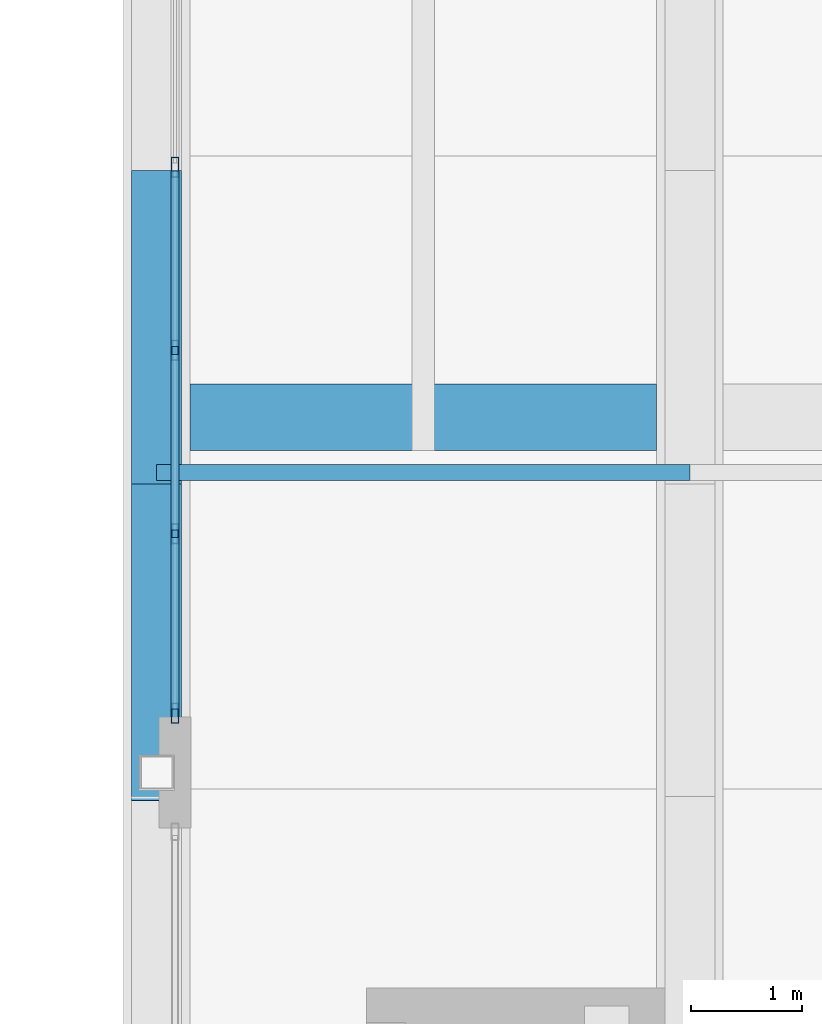
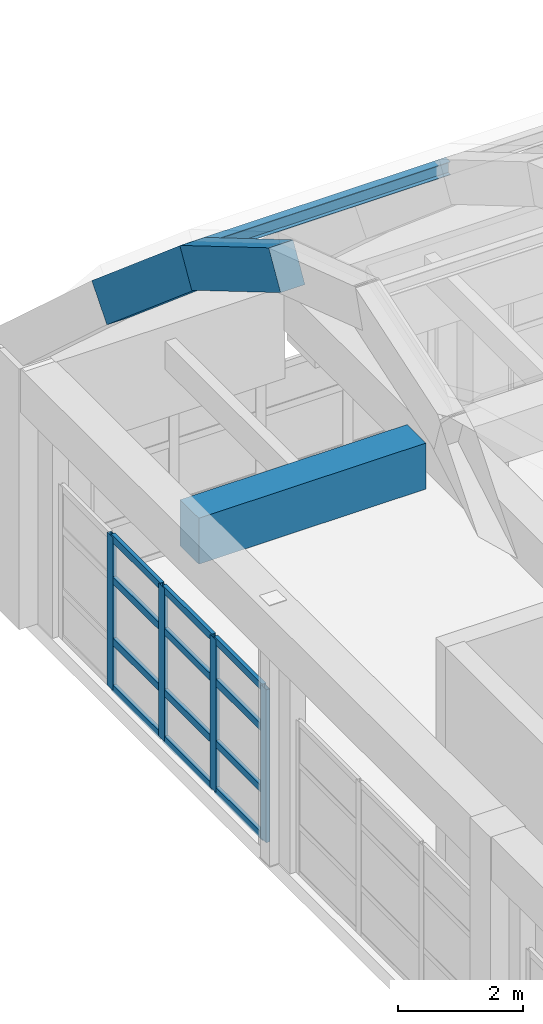
# One storey, part 35 of 78: 17 members, 3 beams, 1 element without a shape of its own.
"""IFC4 building model written with IfcOpenShell, lengths in metres."""

from ifc_helpers import new_model, si_unit, direction, frame, origin, origin_2d, place, context, subcontext, project, spatial, rectangle, hollow_rectangle, i_section, extrude, material, layer, layer_set, material_profile, profile_set, type_object, element, aggregate, save


model = new_model("IFC4")

# Units and contexts
model_context = context("Model", 3, precision=1e-05, world=origin(), true_north=direction((0.0, 1.0)))
body_context = subcontext(model_context, "Body", "Model", "MODEL_VIEW")
ifc_project = project(units=[si_unit("LENGTHUNIT", "METRE"), si_unit("AREAUNIT", "SQUARE_METRE"), si_unit("VOLUMEUNIT", "CUBIC_METRE"), si_unit("PLANEANGLEUNIT", "RADIAN"), si_unit("MASSUNIT", "GRAM", prefix="KILO")], contexts=[model_context])

# Site, building, storey
site_placement = place(None, origin())
site = spatial("IfcSite", under=ifc_project, at=site_placement, CompositionType="ELEMENT")
building_placement = place(site_placement, origin())
building = spatial("IfcBuilding", under=site, at=building_placement, Name="Quendrovan Civic Courthouse", CompositionType="ELEMENT")
storey_placement = place(building_placement, frame((0.0, 0.0, 20.39990234375)))
storey = spatial("IfcBuildingStorey", under=building, at=storey_placement, Name="L05", CompositionType="ELEMENT", Elevation=20.39990234375)

# Beams
ifc_material_1 = material(Name="Concrete C40/50", Category="concrete")
ifc_material_profile_1 = material_profile(ifc_material_1, rectangle(XDim=0.60009765625, YDim=0.89990234375, at=origin_2d()), Name="RC-BM-600x900")
ifc_profile_set_1 = profile_set([ifc_material_profile_1], Name="Concrete C40/50")
beam_type_1 = type_object("IfcBeamType", Name="BM-RC900", PredefinedType="BEAM", material=ifc_profile_set_1)
beam_1_placement = place(storey_placement, frame((109.5, 105.199951171875, 4.35009765625), z_axis=(1.0, 0.0, 0.0), x_axis=(0.0, 1.0, 0.0)))
element("IfcBeam", 1, at=beam_1_placement, inside=storey, type_object=beam_type_1, Name="BV1 Eave Backspan Collector Beam N-B1", PredefinedType="BEAM", context=body_context, shape_type="SweptSolid", body=[
    extrude(rectangle(XDim=0.60009765625, YDim=0.89990234375, at=origin_2d()), origin(), (0.0, 0.0, 1.0), 4.199951171875),
])
ifc_material_profile_2 = material_profile(ifc_material_1, rectangle(XDim=0.449951171875, YDim=0.75, at=origin_2d()), Name="RC-VRIB-450x750")
ifc_profile_set_2 = profile_set([ifc_material_profile_2], Name="Concrete C40/50")
beam_type_2 = type_object("IfcBeamType", Name="BM-VRIB750", PredefinedType="BEAM", material=ifc_profile_set_2)
beam_2_placement = place(storey_placement, frame((109.199951171875, 101.557861328125, 11.86181640625), z_axis=(0.0, 0.861355141515, -0.508003267889), x_axis=(-1.0, 0.0, 0.0)))
element("IfcBeam", 2, at=beam_2_placement, inside=storey, type_object=beam_type_2, Name="BV1 Concrete Vault Arch Rib A1-C6", PredefinedType="BEAM", context=body_context, shape_type="SweptSolid", body=[
    extrude(rectangle(XDim=0.449951171875, YDim=0.75, at=origin_2d()), origin(), (0.0, 0.0, 1.0), 3.308837890625),
])
beam_3_placement = place(storey_placement, frame((109.199951171875, 104.327880859375, 10.23779296875), z_axis=(0.0, 0.762387086329, -0.647121264214), x_axis=(-1.0, 0.0, 0.0)))
element("IfcBeam", 3, at=beam_3_placement, inside=storey, type_object=beam_type_2, Name="BV1 Concrete Vault Arch Rib A1-C7", PredefinedType="BEAM", context=body_context, shape_type="SweptSolid", body=[
    extrude(rectangle(XDim=0.449951171875, YDim=0.75, at=origin_2d()), origin(), (0.0, 0.0, 1.0), 3.73828125),
])

# Curtain wall, members
ifc_material_2 = material(Name="Bronze anodised aluminium and low-E glass", Category="aluminium")
ifc_layer = layer(ifc_material_2, 0.179931640625, Name="Bronze anodised aluminium and low-E glass")
ifc_layer_set = layer_set([ifc_layer], Name="Bronze anodised aluminium and low-E glass")
curtain_wall_type = type_object("IfcCurtainWallType", Name="CW-U66x30", PredefinedType="USERDEFINED", material=ifc_layer_set)
curtain_wall_placement = place(storey_placement, origin())
curtain_wall = element("IfcCurtainWall", 4, at=curtain_wall_placement, inside=storey, type_object=curtain_wall_type, Name="L05 Unitised Hurricane Curtain Wall CW-204", ObjectType="UNITISED CURTAIN WALL", PredefinedType="USERDEFINED")
ifc_material_3 = material(Name="Bronze anodised aluminium", Category="aluminium")
ifc_material_profile_3 = material_profile(ifc_material_3, hollow_rectangle(XDim=0.070068359375, YDim=0.179931640625, WallThickness=0.00390625, at=origin_2d()), Name="CW-MULL-70x180")
ifc_profile_set_3 = profile_set([ifc_material_profile_3], Name="Bronze anodised aluminium")
member_type_1 = type_object("IfcMemberType", Name="CW-MULL-A", PredefinedType="MULLION", material=ifc_profile_set_3)
member_1_placement = place(storey_placement, frame((109.364990234375, 102.534912109375, 0.0), z_axis=(0.0, 0.0, 1.0), x_axis=(-1.0, 0.0, 0.0)))
member_1 = element("IfcMember", 5, at=member_1_placement, type_object=member_type_1, Name="CW-204 mullion 1", PredefinedType="MULLION", context=body_context, shape_type="SweptSolid", body=[
    extrude(hollow_rectangle(XDim=0.070068359375, YDim=0.179931640625, WallThickness=0.00390625, at=origin_2d()), origin(), (0.0, 0.0, 1.0), 2.989990234375),
])
member_2_placement = place(storey_placement, frame((109.364990234375, 104.14990234375, 0.0), z_axis=(0.0, 0.0, 1.0), x_axis=(-1.0, 0.0, 0.0)))
member_2 = element("IfcMember", 6, at=member_2_placement, type_object=member_type_1, Name="CW-204 mullion 2", PredefinedType="MULLION", context=body_context, shape_type="SweptSolid", body=[
    extrude(hollow_rectangle(XDim=0.070068359375, YDim=0.179931640625, WallThickness=0.00390625, at=origin_2d()), origin(), (0.0, 0.0, 1.0), 2.989990234375),
])
member_3_placement = place(storey_placement, frame((109.364990234375, 105.800048828125, 0.0), z_axis=(0.0, 0.0, 1.0), x_axis=(-1.0, 0.0, 0.0)))
member_3 = element("IfcMember", 7, at=member_3_placement, type_object=member_type_1, Name="CW-204 mullion 3", PredefinedType="MULLION", context=body_context, shape_type="SweptSolid", body=[
    extrude(hollow_rectangle(XDim=0.070068359375, YDim=0.179931640625, WallThickness=0.00390625, at=origin_2d()), origin(), (0.0, 0.0, 1.0), 2.989990234375),
])
member_4_placement = place(storey_placement, frame((109.364990234375, 107.449951171875, 0.0), z_axis=(0.0, 0.0, 1.0), x_axis=(-1.0, 0.0, 0.0)))
member_4 = element("IfcMember", 8, at=member_4_placement, type_object=member_type_1, Name="CW-204 mullion 4", PredefinedType="MULLION", context=body_context, shape_type="SweptSolid", body=[
    extrude(hollow_rectangle(XDim=0.070068359375, YDim=0.179931640625, WallThickness=0.00390625, at=origin_2d()), origin(), (0.0, 0.0, 1.0), 2.989990234375),
])
ifc_material_profile_4 = material_profile(ifc_material_3, hollow_rectangle(XDim=0.070068359375, YDim=0.139892578125, WallThickness=0.00390625, at=origin_2d()), Name="CW-TRAN-70x140")
ifc_profile_set_4 = profile_set([ifc_material_profile_4], Name="Bronze anodised aluminium")
member_type_2 = type_object("IfcMemberType", Name="CW-TRAN-A", PredefinedType="USERDEFINED", material=ifc_profile_set_4)
member_5_placement = place(storey_placement, frame((109.364990234375, 102.570068359375, 0.03515625), z_axis=(0.0, 1.0, 0.0), x_axis=(-1.0, 0.0, 0.0)))
member_5 = element("IfcMember", 9, at=member_5_placement, type_object=member_type_2, Name="CW-204 transom 1.1", ObjectType="TRANSOM", PredefinedType="USERDEFINED", context=body_context, shape_type="SweptSolid", body=[
    extrude(hollow_rectangle(XDim=0.070068359375, YDim=0.139892578125, WallThickness=0.00390625, at=origin_2d()), origin(), (0.0, 0.0, 1.0), 1.544921875),
])
member_6_placement = place(storey_placement, frame((109.364990234375, 102.570068359375, 0.9501953125), z_axis=(0.0, 1.0, 0.0), x_axis=(-1.0, 0.0, 0.0)))
member_6 = element("IfcMember", 10, at=member_6_placement, type_object=member_type_2, Name="CW-204 transom 1.2", ObjectType="TRANSOM", PredefinedType="USERDEFINED", context=body_context, shape_type="SweptSolid", body=[
    extrude(hollow_rectangle(XDim=0.070068359375, YDim=0.139892578125, WallThickness=0.00390625, at=origin_2d()), origin(), (0.0, 0.0, 1.0), 1.544921875),
])
member_7_placement = place(storey_placement, frame((109.364990234375, 102.570068359375, 2.150146484375), z_axis=(0.0, 1.0, 0.0), x_axis=(-1.0, 0.0, 0.0)))
member_7 = element("IfcMember", 11, at=member_7_placement, type_object=member_type_2, Name="CW-204 transom 1.3", ObjectType="TRANSOM", PredefinedType="USERDEFINED", context=body_context, shape_type="SweptSolid", body=[
    extrude(hollow_rectangle(XDim=0.070068359375, YDim=0.139892578125, WallThickness=0.00390625, at=origin_2d()), origin(), (0.0, 0.0, 1.0), 1.544921875),
])
member_8_placement = place(storey_placement, frame((109.364990234375, 102.570068359375, 2.955078125), z_axis=(0.0, 1.0, 0.0), x_axis=(-1.0, 0.0, 0.0)))
member_8 = element("IfcMember", 12, at=member_8_placement, type_object=member_type_2, Name="CW-204 transom 1.4", ObjectType="TRANSOM", PredefinedType="USERDEFINED", context=body_context, shape_type="SweptSolid", body=[
    extrude(hollow_rectangle(XDim=0.070068359375, YDim=0.139892578125, WallThickness=0.00390625, at=origin_2d()), origin(), (0.0, 0.0, 1.0), 1.544921875),
])
member_9_placement = place(storey_placement, frame((109.364990234375, 104.18505859375, 0.03515625), z_axis=(0.0, 1.0, 0.0), x_axis=(-1.0, 0.0, 0.0)))
member_9 = element("IfcMember", 13, at=member_9_placement, type_object=member_type_2, Name="CW-204 transom 2.1", ObjectType="TRANSOM", PredefinedType="USERDEFINED", context=body_context, shape_type="SweptSolid", body=[
    extrude(hollow_rectangle(XDim=0.070068359375, YDim=0.139892578125, WallThickness=0.00390625, at=origin_2d()), origin(), (0.0, 0.0, 1.0), 1.579833984375),
])
member_10_placement = place(storey_placement, frame((109.364990234375, 104.18505859375, 0.9501953125), z_axis=(0.0, 1.0, 0.0), x_axis=(-1.0, 0.0, 0.0)))
member_10 = element("IfcMember", 14, at=member_10_placement, type_object=member_type_2, Name="CW-204 transom 2.2", ObjectType="TRANSOM", PredefinedType="USERDEFINED", context=body_context, shape_type="SweptSolid", body=[
    extrude(hollow_rectangle(XDim=0.070068359375, YDim=0.139892578125, WallThickness=0.00390625, at=origin_2d()), origin(), (0.0, 0.0, 1.0), 1.579833984375),
])
member_11_placement = place(storey_placement, frame((109.364990234375, 104.18505859375, 2.150146484375), z_axis=(0.0, 1.0, 0.0), x_axis=(-1.0, 0.0, 0.0)))
member_11 = element("IfcMember", 15, at=member_11_placement, type_object=member_type_2, Name="CW-204 transom 2.3", ObjectType="TRANSOM", PredefinedType="USERDEFINED", context=body_context, shape_type="SweptSolid", body=[
    extrude(hollow_rectangle(XDim=0.070068359375, YDim=0.139892578125, WallThickness=0.00390625, at=origin_2d()), origin(), (0.0, 0.0, 1.0), 1.579833984375),
])
member_12_placement = place(storey_placement, frame((109.364990234375, 104.18505859375, 2.955078125), z_axis=(0.0, 1.0, 0.0), x_axis=(-1.0, 0.0, 0.0)))
member_12 = element("IfcMember", 16, at=member_12_placement, type_object=member_type_2, Name="CW-204 transom 2.4", ObjectType="TRANSOM", PredefinedType="USERDEFINED", context=body_context, shape_type="SweptSolid", body=[
    extrude(hollow_rectangle(XDim=0.070068359375, YDim=0.139892578125, WallThickness=0.00390625, at=origin_2d()), origin(), (0.0, 0.0, 1.0), 1.579833984375),
])
member_13_placement = place(storey_placement, frame((109.364990234375, 105.8349609375, 0.03515625), z_axis=(0.0, 1.0, 0.0), x_axis=(-1.0, 0.0, 0.0)))
member_13 = element("IfcMember", 17, at=member_13_placement, type_object=member_type_2, Name="CW-204 transom 3.1", ObjectType="TRANSOM", PredefinedType="USERDEFINED", context=body_context, shape_type="SweptSolid", body=[
    extrude(hollow_rectangle(XDim=0.070068359375, YDim=0.139892578125, WallThickness=0.00390625, at=origin_2d()), origin(), (0.0, 0.0, 1.0), 1.580078125),
])
member_14_placement = place(storey_placement, frame((109.364990234375, 105.8349609375, 0.9501953125), z_axis=(0.0, 1.0, 0.0), x_axis=(-1.0, 0.0, 0.0)))
member_14 = element("IfcMember", 18, at=member_14_placement, type_object=member_type_2, Name="CW-204 transom 3.2", ObjectType="TRANSOM", PredefinedType="USERDEFINED", context=body_context, shape_type="SweptSolid", body=[
    extrude(hollow_rectangle(XDim=0.070068359375, YDim=0.139892578125, WallThickness=0.00390625, at=origin_2d()), origin(), (0.0, 0.0, 1.0), 1.580078125),
])
member_15_placement = place(storey_placement, frame((109.364990234375, 105.8349609375, 2.150146484375), z_axis=(0.0, 1.0, 0.0), x_axis=(-1.0, 0.0, 0.0)))
member_15 = element("IfcMember", 19, at=member_15_placement, type_object=member_type_2, Name="CW-204 transom 3.3", ObjectType="TRANSOM", PredefinedType="USERDEFINED", context=body_context, shape_type="SweptSolid", body=[
    extrude(hollow_rectangle(XDim=0.070068359375, YDim=0.139892578125, WallThickness=0.00390625, at=origin_2d()), origin(), (0.0, 0.0, 1.0), 1.580078125),
])
member_16_placement = place(storey_placement, frame((109.364990234375, 105.8349609375, 2.955078125), z_axis=(0.0, 1.0, 0.0), x_axis=(-1.0, 0.0, 0.0)))
member_16 = element("IfcMember", 20, at=member_16_placement, type_object=member_type_2, Name="CW-204 transom 3.4", ObjectType="TRANSOM", PredefinedType="USERDEFINED", context=body_context, shape_type="SweptSolid", body=[
    extrude(hollow_rectangle(XDim=0.070068359375, YDim=0.139892578125, WallThickness=0.00390625, at=origin_2d()), origin(), (0.0, 0.0, 1.0), 1.580078125),
])
aggregate(curtain_wall, [member_1, member_2, member_3, member_4, member_5, member_6, member_7, member_8, member_9, member_10, member_11, member_12, member_13, member_14, member_15, member_16])

# Member
ifc_material_4 = material(Name="Steel ASTM A992 Grade 50", Category="steel")
ifc_material_profile_5 = material_profile(ifc_material_4, i_section(OverallWidth=0.14599609375, OverallDepth=0.258056640625, WebThickness=0.006103515625, FlangeThickness=0.009033203125, at=origin_2d()), Name="W250x33")
ifc_profile_set_5 = profile_set([ifc_material_profile_5], Name="Steel ASTM A992 Grade 50")
member_type_3 = type_object("IfcMemberType", Name="MEM-PUR-W250", PredefinedType="PURLIN", material=ifc_profile_set_5)
member_17_placement = place(storey_placement, frame((109.199951171875, 104.699951171875, 10.236083984375), z_axis=(1.0, 0.0, 0.0), x_axis=(0.0, 1.0, 0.0)))
element("IfcMember", 21, at=member_17_placement, inside=storey, type_object=member_type_3, Name="BV1 Vault Longitudinal Purlin B1-3", PredefinedType="PURLIN", context=body_context, shape_type="SweptSolid", body=[
    extrude(i_section(OverallWidth=0.14599609375, OverallDepth=0.258056640625, WebThickness=0.006103515625, FlangeThickness=0.009033203125, at=origin_2d()), origin(), (0.0, 0.0, 1.0), 4.800048828125),
])

save(model, "model.ifc")
